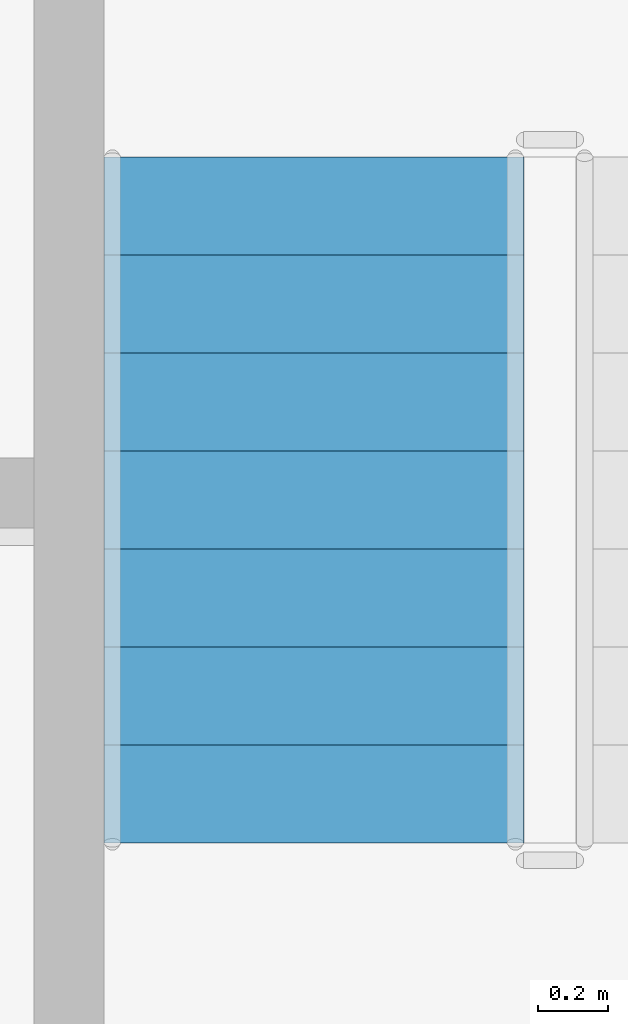
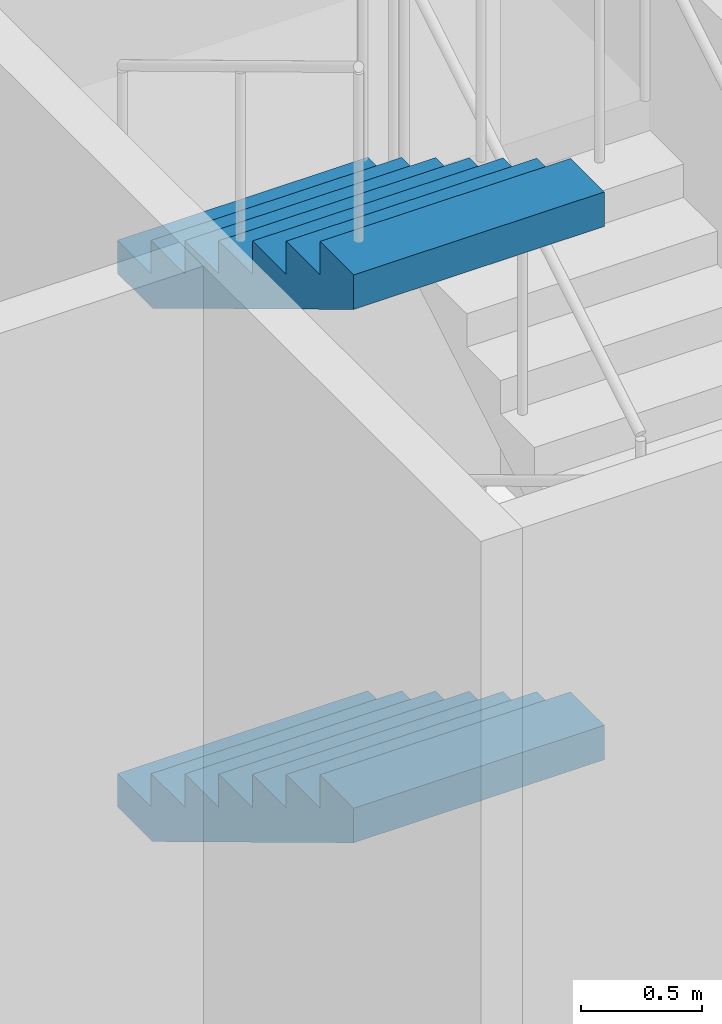
# One storey, part 69 of 101: 2 stair flights, 1 element without a shape of its own.
"""IFC4 building model written with IfcOpenShell, lengths in metres."""

from ifc_helpers import new_model, si_unit, direction, frame, origin, place, context, subcontext, project, spatial, triangles, material, type_object, element, aggregate, save


model = new_model("IFC4")

# Units and contexts
model_context = context("Model", 3, precision=1e-05, world=origin(), true_north=direction((0.0, 1.0)))
body_context = subcontext(model_context, "Body", "Model", "MODEL_VIEW")
ifc_project = project(units=[si_unit("LENGTHUNIT", "METRE"), si_unit("AREAUNIT", "SQUARE_METRE"), si_unit("VOLUMEUNIT", "CUBIC_METRE"), si_unit("PLANEANGLEUNIT", "RADIAN"), si_unit("MASSUNIT", "GRAM", prefix="KILO")], contexts=[model_context])

# Site, building, storey
site_placement = place(None, origin())
site = spatial("IfcSite", under=ifc_project, at=site_placement, CompositionType="ELEMENT")
building_placement = place(site_placement, origin())
building = spatial("IfcBuilding", under=site, at=building_placement, Name="Magnolia Steps Interchange", CompositionType="ELEMENT")
storey_placement = place(building_placement, frame((0.0, 0.0, -5.39990234375)))
storey = spatial("IfcBuildingStorey", under=building, at=storey_placement, Name="B1", CompositionType="ELEMENT", Elevation=-5.39990234375)

# Stair, stair flights
ifc_material_1 = material(Name="Concrete C40", Category="concrete")
stair_type = type_object("IfcStairType", Name="Exit stair 1200", PredefinedType="HALF_TURN_STAIR", material=ifc_material_1)
stair_placement = place(storey_placement, origin())
stair = element("IfcStair", 1, at=stair_placement, inside=storey, type_object=stair_type, Name="B1 Stair 24", PredefinedType="HALF_TURN_STAIR")
ifc_material_2 = material(Name="Concrete C40", Category="concrete")
stair_flight_type = type_object("IfcStairFlightType", Name="Exit stair flight", PredefinedType="STRAIGHT", material=ifc_material_2)
stair_flight_1_placement = place(storey_placement, frame((180.35009765625, 40.659912109375, 1.349853515625), z_axis=(0.0, 0.0, 1.0), x_axis=(0.0, -1.0, 0.0)))
stair_flight_1 = element("IfcStairFlight", 2, at=stair_flight_1_placement, type_object=stair_flight_type, Name="Stair 24 flight 2", NumberOfRisers=8, NumberOfTreads=7, PredefinedType="STRAIGHT", RiserHeight=0.16875, TreadLength=0.28, context=body_context, shape_type="Tessellation", body=[
    triangles([(0.0, -0.5999755859375, 0.0), (0.29052734375, -0.5999755859375, 0.0), (1.9599609375, -0.5999755859375, 1.00634765625), (1.9599609375, -0.5999755859375, 1.18115234375), (1.679931640625, -0.5999755859375, 1.18115234375), (1.679931640625, -0.5999755859375, 1.012451171875), (1.39990234375, -0.5999755859375, 1.012451171875), (1.39990234375, -0.5999755859375, 0.84375), (1.1201171875, -0.5999755859375, 0.84375), (1.1201171875, -0.5999755859375, 0.675048828125), (0.840087890625, -0.5999755859375, 0.675048828125), (0.840087890625, -0.5999755859375, 0.50634765625), (0.56005859375, -0.5999755859375, 0.50634765625), (0.56005859375, -0.5999755859375, 0.33740234375), (0.280029296875, -0.5999755859375, 0.33740234375), (0.280029296875, -0.5999755859375, 0.168701171875), (0.0, -0.5999755859375, 0.168701171875), (0.0, 0.5999755859375, 0.0), (0.29052734375, 0.5999755859375, 0.0), (1.9599609375, 0.5999755859375, 1.00634765625), (1.9599609375, 0.5999755859375, 1.18115234375), (1.679931640625, 0.5999755859375, 1.18115234375), (1.679931640625, 0.5999755859375, 1.012451171875), (1.39990234375, 0.5999755859375, 1.012451171875), (1.39990234375, 0.5999755859375, 0.84375), (1.1201171875, 0.5999755859375, 0.84375), (1.1201171875, 0.5999755859375, 0.675048828125), (0.840087890625, 0.5999755859375, 0.675048828125), (0.840087890625, 0.5999755859375, 0.50634765625), (0.56005859375, 0.5999755859375, 0.50634765625), (0.56005859375, 0.5999755859375, 0.33740234375), (0.280029296875, 0.5999755859375, 0.33740234375), (0.280029296875, 0.5999755859375, 0.168701171875), (0.0, 0.5999755859375, 0.168701171875), (0.0, 0.0, 0.0), (0.0, 0.0, 0.04217529296875), (0.0, 0.0, 0.0843505859375), (0.0, 0.0, 0.12652587890625), (0.0, 0.0, 0.168701171875), (0.0, -0.05, 0.0), (0.0, -0.05, 0.168701171875), (0.0, 0.05, 0.0), (0.0, 0.05, 0.168701171875), (0.046671549479166664, 0.0, 0.168701171875), (0.09334309895833333, 0.0, 0.168701171875), (0.1400146484375, 0.0, 0.168701171875), (0.18668619791666666, 0.0, 0.168701171875), (0.23335774739583334, 0.0, 0.168701171875), (0.280029296875, 0.0, 0.168701171875), (0.280029296875, -0.05, 0.168701171875), (0.280029296875, 0.05, 0.168701171875), (0.280029296875, 0.0, 0.21087646484375), (0.280029296875, 0.0, 0.2530517578125), (0.280029296875, 0.0, 0.29522705078125), (0.280029296875, 0.0, 0.33740234375), (0.280029296875, -0.05, 0.33740234375), (0.280029296875, 0.05, 0.33740234375), (0.3267008463541667, 0.0, 0.33740234375), (0.3733723958333333, 0.0, 0.33740234375), (0.4200439453125, 0.0, 0.33740234375), (0.46671549479166663, 0.0, 0.33740234375), (0.5133870442708334, 0.0, 0.33740234375), (0.56005859375, 0.0, 0.33740234375), (0.56005859375, -0.05, 0.33740234375), (0.56005859375, 0.05, 0.33740234375), (0.56005859375, 0.0, 0.379638671875), (0.56005859375, 0.0, 0.421875), (0.56005859375, 0.0, 0.464111328125), (0.56005859375, 0.0, 0.50634765625), (0.56005859375, -0.05, 0.50634765625), (0.56005859375, 0.05, 0.50634765625), (0.6067301432291666, 0.0, 0.50634765625), (0.6534016927083334, 0.0, 0.50634765625), (0.7000732421875, 0.0, 0.50634765625), (0.7467447916666666, 0.0, 0.50634765625), (0.7934163411458334, 0.0, 0.50634765625), (0.840087890625, 0.0, 0.50634765625), (0.840087890625, -0.05, 0.50634765625), (0.840087890625, 0.05, 0.50634765625), (0.840087890625, 0.0, 0.54852294921875), (0.840087890625, 0.0, 0.5906982421875), (0.840087890625, 0.0, 0.63287353515625), (0.840087890625, 0.0, 0.675048828125), (0.840087890625, -0.05, 0.675048828125), (0.840087890625, 0.05, 0.675048828125), (0.8867594401041666, 0.0, 0.675048828125), (0.9334309895833334, 0.0, 0.675048828125), (0.9801025390625, 0.0, 0.675048828125), (1.0267740885416667, 0.0, 0.675048828125), (1.0734456380208333, 0.0, 0.675048828125), (1.1201171875, 0.0, 0.675048828125), (1.1201171875, -0.05, 0.675048828125), (1.1201171875, 0.05, 0.675048828125), (1.1201171875, 0.0, 0.71722412109375), (1.1201171875, 0.0, 0.7593994140625), (1.1201171875, 0.0, 0.80157470703125), (1.1201171875, 0.0, 0.84375), (1.1201171875, -0.05, 0.84375), (1.1201171875, 0.05, 0.84375), (1.1900634765625, 0.0, 0.84375), (1.260009765625, 0.0, 0.84375), (1.3299560546875, 0.0, 0.84375), (1.39990234375, 0.0, 0.84375), (1.39990234375, -0.05, 0.84375), (1.39990234375, 0.05, 0.84375), (1.39990234375, 0.0, 0.88592529296875), (1.39990234375, 0.0, 0.9281005859375), (1.39990234375, 0.0, 0.97027587890625), (1.39990234375, 0.0, 1.012451171875), (1.39990234375, -0.05, 1.012451171875), (1.39990234375, 0.05, 1.012451171875), (1.4465738932291667, 0.0, 1.012451171875), (1.4932454427083333, 0.0, 1.012451171875), (1.5399169921875, 0.0, 1.012451171875), (1.5865885416666667, 0.0, 1.012451171875), (1.6332600911458333, 0.0, 1.012451171875), (1.679931640625, 0.0, 1.012451171875), (1.679931640625, -0.05, 1.012451171875), (1.679931640625, 0.05, 1.012451171875), (1.679931640625, 0.0, 1.05462646484375), (1.679931640625, 0.0, 1.0968017578125), (1.679931640625, 0.0, 1.13897705078125), (1.679931640625, 0.0, 1.18115234375), (1.679931640625, -0.05, 1.18115234375), (1.679931640625, 0.05, 1.18115234375), (1.7266031901041667, 0.0, 1.18115234375), (1.7732747395833333, 0.0, 1.18115234375), (1.8199462890625, 0.0, 1.18115234375), (1.8666178385416667, 0.0, 1.18115234375), (1.9132893880208333, 0.0, 1.18115234375), (1.9599609375, 0.0, 1.18115234375), (1.9599609375, -0.05, 1.18115234375), (1.9599609375, 0.05, 1.18115234375), (1.9599609375, 0.0, 1.137451171875), (1.9599609375, 0.0, 1.09375), (1.9599609375, 0.0, 1.050048828125), (1.9599609375, 0.0, 1.00634765625), (1.9599609375, -0.05, 1.00634765625), (1.9599609375, 0.05, 1.00634765625), (1.9003383091517858, 0.0, 0.9704066685267857), (1.8407156808035714, 0.0, 0.9344656808035714), (1.7810930524553572, 0.0, 0.8985246930803571), (1.7214704241071428, 0.0, 0.8625837053571428), (1.6618477957589286, 0.0, 0.8266427176339286), (1.6022251674107144, 0.0, 0.7907017299107143), (1.5426025390625, 0.0, 0.7547607421875), (1.4829799107142856, 0.0, 0.7188197544642857), (1.4233572823660714, 0.0, 0.6828787667410714), (1.3637346540178572, 0.0, 0.6469377790178572), (1.3041120256696428, 0.0, 0.6109967912946428), (1.2444893973214286, 0.0, 0.5750558035714286), (1.1848667689732144, 0.0, 0.5391148158482143), (1.125244140625, 0.0, 0.503173828125), (1.0656215122767856, 0.0, 0.4672328404017857), (1.0059988839285714, 0.0, 0.4312918526785714), (0.9463762555803572, 0.0, 0.3953508649553571), (0.8867536272321428, 0.0, 0.3594098772321429), (0.8271309988839286, 0.0, 0.3234688895089286), (0.7675083705357142, 0.0, 0.2875279017857143), (0.7078857421875, 0.0, 0.2515869140625), (0.6482631138392858, 0.0, 0.2156459263392857), (0.5886404854910714, 0.0, 0.1797049386160714), (0.5290178571428572, 0.0, 0.1437639508928571), (0.4693952287946428, 0.0, 0.1078229631696429), (0.4097726004464286, 0.0, 0.0718819754464286), (0.3501499720982142, 0.0, 0.0359409877232143), (0.29052734375, 0.0, 0.0), (0.29052734375, -0.05, 0.0), (0.29052734375, 0.05, 0.0), (0.24210611979166666, 0.0, 0.0), (0.19368489583333331, 0.0, 0.0), (0.145263671875, 0.0, 0.0), (0.09684244791666666, 0.0, 0.0), (0.04842122395833334, 0.0, 0.0)], [[1, 2, 3], [3, 4, 5], [3, 5, 6], [3, 6, 7], [3, 7, 8], [8, 9, 10], [3, 8, 10], [10, 11, 12], [3, 10, 12], [12, 13, 14], [3, 12, 14], [14, 15, 16], [3, 14, 16], [1, 3, 16], [16, 17, 1], [18, 20, 19], [20, 22, 21], [20, 23, 22], [20, 24, 23], [20, 25, 24], [25, 27, 26], [20, 27, 25], [27, 29, 28], [20, 29, 27], [29, 31, 30], [20, 31, 29], [31, 33, 32], [20, 33, 31], [18, 33, 20], [33, 18, 34], [1, 17, 41], [1, 41, 40], [40, 36, 35], [40, 37, 36], [40, 41, 37], [41, 38, 37], [41, 39, 38], [18, 43, 34], [18, 42, 43], [42, 35, 36], [42, 36, 37], [42, 37, 43], [43, 37, 38], [43, 38, 39], [17, 16, 50], [17, 50, 41], [41, 44, 39], [41, 45, 44], [41, 46, 45], [41, 50, 46], [50, 47, 46], [50, 48, 47], [50, 49, 48], [34, 51, 33], [34, 43, 51], [43, 39, 44], [43, 44, 45], [43, 45, 46], [43, 46, 51], [51, 46, 47], [51, 47, 48], [51, 48, 49], [16, 15, 56], [16, 56, 50], [50, 52, 49], [50, 53, 52], [50, 56, 53], [56, 54, 53], [56, 55, 54], [33, 57, 32], [33, 51, 57], [51, 49, 52], [51, 52, 53], [51, 53, 57], [57, 53, 54], [57, 54, 55], [15, 14, 64], [15, 64, 56], [56, 58, 55], [56, 59, 58], [56, 60, 59], [56, 64, 60], [64, 61, 60], [64, 62, 61], [64, 63, 62], [32, 65, 31], [32, 57, 65], [57, 55, 58], [57, 58, 59], [57, 59, 60], [57, 60, 65], [65, 60, 61], [65, 61, 62], [65, 62, 63], [14, 13, 70], [14, 70, 64], [64, 66, 63], [64, 67, 66], [64, 70, 67], [70, 68, 67], [70, 69, 68], [31, 71, 30], [31, 65, 71], [65, 63, 66], [65, 66, 67], [65, 67, 71], [71, 67, 68], [71, 68, 69], [13, 12, 78], [13, 78, 70], [70, 72, 69], [70, 73, 72], [70, 74, 73], [70, 78, 74], [78, 75, 74], [78, 76, 75], [78, 77, 76], [30, 79, 29], [30, 71, 79], [71, 69, 72], [71, 72, 73], [71, 73, 74], [71, 74, 79], [79, 74, 75], [79, 75, 76], [79, 76, 77], [12, 11, 84], [12, 84, 78], [78, 80, 77], [78, 81, 80], [78, 84, 81], [84, 82, 81], [84, 83, 82], [29, 85, 28], [29, 79, 85], [79, 77, 80], [79, 80, 81], [79, 81, 85], [85, 81, 82], [85, 82, 83], [11, 10, 92], [11, 92, 84], [84, 86, 83], [84, 87, 86], [84, 88, 87], [84, 92, 88], [92, 89, 88], [92, 90, 89], [92, 91, 90], [28, 93, 27], [28, 85, 93], [85, 83, 86], [85, 86, 87], [85, 87, 88], [85, 88, 93], [93, 88, 89], [93, 89, 90], [93, 90, 91], [10, 9, 98], [10, 98, 92], [92, 94, 91], [92, 95, 94], [92, 98, 95], [98, 96, 95], [98, 97, 96], [27, 99, 26], [27, 93, 99], [93, 91, 94], [93, 94, 95], [93, 95, 99], [99, 95, 96], [99, 96, 97], [9, 8, 104], [9, 104, 98], [98, 100, 97], [98, 101, 100], [98, 104, 101], [104, 102, 101], [104, 103, 102], [26, 105, 25], [26, 99, 105], [99, 97, 100], [99, 100, 101], [99, 101, 105], [105, 101, 102], [105, 102, 103], [8, 7, 110], [8, 110, 104], [104, 106, 103], [104, 107, 106], [104, 110, 107], [110, 108, 107], [110, 109, 108], [25, 111, 24], [25, 105, 111], [105, 103, 106], [105, 106, 107], [105, 107, 111], [111, 107, 108], [111, 108, 109], [7, 6, 118], [7, 118, 110], [110, 112, 109], [110, 113, 112], [110, 114, 113], [110, 118, 114], [118, 115, 114], [118, 116, 115], [118, 117, 116], [24, 119, 23], [24, 111, 119], [111, 109, 112], [111, 112, 113], [111, 113, 114], [111, 114, 119], [119, 114, 115], [119, 115, 116], [119, 116, 117], [6, 5, 124], [6, 124, 118], [118, 120, 117], [118, 121, 120], [118, 124, 121], [124, 122, 121], [124, 123, 122], [23, 125, 22], [23, 119, 125], [119, 117, 120], [119, 120, 121], [119, 121, 125], [125, 121, 122], [125, 122, 123], [5, 4, 132], [5, 132, 124], [124, 126, 123], [124, 127, 126], [124, 128, 127], [124, 132, 128], [132, 129, 128], [132, 130, 129], [132, 131, 130], [22, 133, 21], [22, 125, 133], [125, 123, 126], [125, 126, 127], [125, 127, 128], [125, 128, 133], [133, 128, 129], [133, 129, 130], [133, 130, 131], [4, 3, 138], [4, 138, 132], [132, 134, 131], [132, 135, 134], [132, 138, 135], [138, 136, 135], [138, 137, 136], [21, 139, 20], [21, 133, 139], [133, 131, 134], [133, 134, 135], [133, 135, 139], [139, 135, 136], [139, 136, 137], [3, 2, 168], [3, 168, 138], [138, 140, 137], [138, 141, 140], [138, 142, 141], [138, 143, 142], [138, 144, 143], [138, 145, 144], [138, 146, 145], [138, 147, 146], [138, 148, 147], [138, 149, 148], [138, 150, 149], [138, 151, 150], [138, 152, 151], [138, 153, 152], [138, 168, 153], [168, 154, 153], [168, 155, 154], [168, 156, 155], [168, 157, 156], [168, 158, 157], [168, 159, 158], [168, 160, 159], [168, 161, 160], [168, 162, 161], [168, 163, 162], [168, 164, 163], [168, 165, 164], [168, 166, 165], [168, 167, 166], [20, 169, 19], [20, 139, 169], [139, 137, 140], [139, 140, 141], [139, 141, 142], [139, 142, 143], [139, 143, 144], [139, 144, 145], [139, 145, 146], [139, 146, 147], [139, 147, 148], [139, 148, 149], [139, 149, 150], [139, 150, 151], [139, 151, 152], [139, 152, 153], [139, 153, 169], [169, 153, 154], [169, 154, 155], [169, 155, 156], [169, 156, 157], [169, 157, 158], [169, 158, 159], [169, 159, 160], [169, 160, 161], [169, 161, 162], [169, 162, 163], [169, 163, 164], [169, 164, 165], [169, 165, 166], [169, 166, 167], [2, 1, 40], [2, 40, 168], [168, 170, 167], [168, 171, 170], [168, 172, 171], [168, 40, 172], [40, 173, 172], [40, 174, 173], [40, 35, 174], [19, 42, 18], [19, 169, 42], [169, 167, 170], [169, 170, 171], [169, 171, 172], [169, 172, 42], [42, 172, 173], [42, 173, 174], [42, 174, 35]], closed=True),
])
stair_flight_2_placement = place(storey_placement, frame((180.35009765625, 40.659912109375, 4.0498046875), z_axis=(0.0, 0.0, 1.0), x_axis=(0.0, -1.0, 0.0)))
stair_flight_2 = element("IfcStairFlight", 3, at=stair_flight_2_placement, type_object=stair_flight_type, Name="Stair 24 flight 4", NumberOfRisers=8, NumberOfTreads=7, PredefinedType="STRAIGHT", RiserHeight=0.16875, TreadLength=0.28, context=body_context, shape_type="Tessellation", body=[
    triangles([(0.0, -0.5999755859375, 0.0), (0.29052734375, -0.5999755859375, 0.0), (1.9599609375, -0.5999755859375, 1.00634765625), (1.9599609375, -0.5999755859375, 1.18115234375), (1.679931640625, -0.5999755859375, 1.18115234375), (1.679931640625, -0.5999755859375, 1.012451171875), (1.39990234375, -0.5999755859375, 1.012451171875), (1.39990234375, -0.5999755859375, 0.84375), (1.1201171875, -0.5999755859375, 0.84375), (1.1201171875, -0.5999755859375, 0.675048828125), (0.840087890625, -0.5999755859375, 0.675048828125), (0.840087890625, -0.5999755859375, 0.50634765625), (0.56005859375, -0.5999755859375, 0.50634765625), (0.56005859375, -0.5999755859375, 0.33740234375), (0.280029296875, -0.5999755859375, 0.33740234375), (0.280029296875, -0.5999755859375, 0.168701171875), (0.0, -0.5999755859375, 0.168701171875), (0.0, 0.5999755859375, 0.0), (0.29052734375, 0.5999755859375, 0.0), (1.9599609375, 0.5999755859375, 1.00634765625), (1.9599609375, 0.5999755859375, 1.18115234375), (1.679931640625, 0.5999755859375, 1.18115234375), (1.679931640625, 0.5999755859375, 1.012451171875), (1.39990234375, 0.5999755859375, 1.012451171875), (1.39990234375, 0.5999755859375, 0.84375), (1.1201171875, 0.5999755859375, 0.84375), (1.1201171875, 0.5999755859375, 0.675048828125), (0.840087890625, 0.5999755859375, 0.675048828125), (0.840087890625, 0.5999755859375, 0.50634765625), (0.56005859375, 0.5999755859375, 0.50634765625), (0.56005859375, 0.5999755859375, 0.33740234375), (0.280029296875, 0.5999755859375, 0.33740234375), (0.280029296875, 0.5999755859375, 0.168701171875), (0.0, 0.5999755859375, 0.168701171875), (0.0, 0.0, 0.0), (0.0, 0.0, 0.04217529296875), (0.0, 0.0, 0.0843505859375), (0.0, 0.0, 0.12652587890625), (0.0, 0.0, 0.168701171875), (0.0, -0.05, 0.0), (0.0, -0.05, 0.168701171875), (0.0, 0.05, 0.0), (0.0, 0.05, 0.168701171875), (0.046671549479166664, 0.0, 0.168701171875), (0.09334309895833333, 0.0, 0.168701171875), (0.1400146484375, 0.0, 0.168701171875), (0.18668619791666666, 0.0, 0.168701171875), (0.23335774739583334, 0.0, 0.168701171875), (0.280029296875, 0.0, 0.168701171875), (0.280029296875, -0.05, 0.168701171875), (0.280029296875, 0.05, 0.168701171875), (0.280029296875, 0.0, 0.21087646484375), (0.280029296875, 0.0, 0.2530517578125), (0.280029296875, 0.0, 0.29522705078125), (0.280029296875, 0.0, 0.33740234375), (0.280029296875, -0.05, 0.33740234375), (0.280029296875, 0.05, 0.33740234375), (0.3267008463541667, 0.0, 0.33740234375), (0.3733723958333333, 0.0, 0.33740234375), (0.4200439453125, 0.0, 0.33740234375), (0.46671549479166663, 0.0, 0.33740234375), (0.5133870442708334, 0.0, 0.33740234375), (0.56005859375, 0.0, 0.33740234375), (0.56005859375, -0.05, 0.33740234375), (0.56005859375, 0.05, 0.33740234375), (0.56005859375, 0.0, 0.379638671875), (0.56005859375, 0.0, 0.421875), (0.56005859375, 0.0, 0.464111328125), (0.56005859375, 0.0, 0.50634765625), (0.56005859375, -0.05, 0.50634765625), (0.56005859375, 0.05, 0.50634765625), (0.6067301432291666, 0.0, 0.50634765625), (0.6534016927083334, 0.0, 0.50634765625), (0.7000732421875, 0.0, 0.50634765625), (0.7467447916666666, 0.0, 0.50634765625), (0.7934163411458334, 0.0, 0.50634765625), (0.840087890625, 0.0, 0.50634765625), (0.840087890625, -0.05, 0.50634765625), (0.840087890625, 0.05, 0.50634765625), (0.840087890625, 0.0, 0.54852294921875), (0.840087890625, 0.0, 0.5906982421875), (0.840087890625, 0.0, 0.63287353515625), (0.840087890625, 0.0, 0.675048828125), (0.840087890625, -0.05, 0.675048828125), (0.840087890625, 0.05, 0.675048828125), (0.8867594401041666, 0.0, 0.675048828125), (0.9334309895833334, 0.0, 0.675048828125), (0.9801025390625, 0.0, 0.675048828125), (1.0267740885416667, 0.0, 0.675048828125), (1.0734456380208333, 0.0, 0.675048828125), (1.1201171875, 0.0, 0.675048828125), (1.1201171875, -0.05, 0.675048828125), (1.1201171875, 0.05, 0.675048828125), (1.1201171875, 0.0, 0.71722412109375), (1.1201171875, 0.0, 0.7593994140625), (1.1201171875, 0.0, 0.80157470703125), (1.1201171875, 0.0, 0.84375), (1.1201171875, -0.05, 0.84375), (1.1201171875, 0.05, 0.84375), (1.1900634765625, 0.0, 0.84375), (1.260009765625, 0.0, 0.84375), (1.3299560546875, 0.0, 0.84375), (1.39990234375, 0.0, 0.84375), (1.39990234375, -0.05, 0.84375), (1.39990234375, 0.05, 0.84375), (1.39990234375, 0.0, 0.88592529296875), (1.39990234375, 0.0, 0.9281005859375), (1.39990234375, 0.0, 0.97027587890625), (1.39990234375, 0.0, 1.012451171875), (1.39990234375, -0.05, 1.012451171875), (1.39990234375, 0.05, 1.012451171875), (1.4465738932291667, 0.0, 1.012451171875), (1.4932454427083333, 0.0, 1.012451171875), (1.5399169921875, 0.0, 1.012451171875), (1.5865885416666667, 0.0, 1.012451171875), (1.6332600911458333, 0.0, 1.012451171875), (1.679931640625, 0.0, 1.012451171875), (1.679931640625, -0.05, 1.012451171875), (1.679931640625, 0.05, 1.012451171875), (1.679931640625, 0.0, 1.05462646484375), (1.679931640625, 0.0, 1.0968017578125), (1.679931640625, 0.0, 1.13897705078125), (1.679931640625, 0.0, 1.18115234375), (1.679931640625, -0.05, 1.18115234375), (1.679931640625, 0.05, 1.18115234375), (1.7266031901041667, 0.0, 1.18115234375), (1.7732747395833333, 0.0, 1.18115234375), (1.8199462890625, 0.0, 1.18115234375), (1.8666178385416667, 0.0, 1.18115234375), (1.9132893880208333, 0.0, 1.18115234375), (1.9599609375, 0.0, 1.18115234375), (1.9599609375, -0.05, 1.18115234375), (1.9599609375, 0.05, 1.18115234375), (1.9599609375, 0.0, 1.137451171875), (1.9599609375, 0.0, 1.09375), (1.9599609375, 0.0, 1.050048828125), (1.9599609375, 0.0, 1.00634765625), (1.9599609375, -0.05, 1.00634765625), (1.9599609375, 0.05, 1.00634765625), (1.9003383091517858, 0.0, 0.9704066685267857), (1.8407156808035714, 0.0, 0.9344656808035714), (1.7810930524553572, 0.0, 0.8985246930803571), (1.7214704241071428, 0.0, 0.8625837053571428), (1.6618477957589286, 0.0, 0.8266427176339286), (1.6022251674107144, 0.0, 0.7907017299107143), (1.5426025390625, 0.0, 0.7547607421875), (1.4829799107142856, 0.0, 0.7188197544642857), (1.4233572823660714, 0.0, 0.6828787667410714), (1.3637346540178572, 0.0, 0.6469377790178572), (1.3041120256696428, 0.0, 0.6109967912946428), (1.2444893973214286, 0.0, 0.5750558035714286), (1.1848667689732144, 0.0, 0.5391148158482143), (1.125244140625, 0.0, 0.503173828125), (1.0656215122767856, 0.0, 0.4672328404017857), (1.0059988839285714, 0.0, 0.4312918526785714), (0.9463762555803572, 0.0, 0.3953508649553571), (0.8867536272321428, 0.0, 0.3594098772321429), (0.8271309988839286, 0.0, 0.3234688895089286), (0.7675083705357142, 0.0, 0.2875279017857143), (0.7078857421875, 0.0, 0.2515869140625), (0.6482631138392858, 0.0, 0.2156459263392857), (0.5886404854910714, 0.0, 0.1797049386160714), (0.5290178571428572, 0.0, 0.1437639508928571), (0.4693952287946428, 0.0, 0.1078229631696429), (0.4097726004464286, 0.0, 0.0718819754464286), (0.3501499720982142, 0.0, 0.0359409877232143), (0.29052734375, 0.0, 0.0), (0.29052734375, -0.05, 0.0), (0.29052734375, 0.05, 0.0), (0.24210611979166666, 0.0, 0.0), (0.19368489583333331, 0.0, 0.0), (0.145263671875, 0.0, 0.0), (0.09684244791666666, 0.0, 0.0), (0.04842122395833334, 0.0, 0.0)], [[1, 2, 3], [3, 4, 5], [3, 5, 6], [3, 6, 7], [3, 7, 8], [8, 9, 10], [3, 8, 10], [10, 11, 12], [3, 10, 12], [12, 13, 14], [3, 12, 14], [14, 15, 16], [3, 14, 16], [1, 3, 16], [16, 17, 1], [18, 20, 19], [20, 22, 21], [20, 23, 22], [20, 24, 23], [20, 25, 24], [25, 27, 26], [20, 27, 25], [27, 29, 28], [20, 29, 27], [29, 31, 30], [20, 31, 29], [31, 33, 32], [20, 33, 31], [18, 33, 20], [33, 18, 34], [1, 17, 41], [1, 41, 40], [40, 36, 35], [40, 37, 36], [40, 41, 37], [41, 38, 37], [41, 39, 38], [18, 43, 34], [18, 42, 43], [42, 35, 36], [42, 36, 37], [42, 37, 43], [43, 37, 38], [43, 38, 39], [17, 16, 50], [17, 50, 41], [41, 44, 39], [41, 45, 44], [41, 46, 45], [41, 50, 46], [50, 47, 46], [50, 48, 47], [50, 49, 48], [34, 51, 33], [34, 43, 51], [43, 39, 44], [43, 44, 45], [43, 45, 46], [43, 46, 51], [51, 46, 47], [51, 47, 48], [51, 48, 49], [16, 15, 56], [16, 56, 50], [50, 52, 49], [50, 53, 52], [50, 56, 53], [56, 54, 53], [56, 55, 54], [33, 57, 32], [33, 51, 57], [51, 49, 52], [51, 52, 53], [51, 53, 57], [57, 53, 54], [57, 54, 55], [15, 14, 64], [15, 64, 56], [56, 58, 55], [56, 59, 58], [56, 60, 59], [56, 64, 60], [64, 61, 60], [64, 62, 61], [64, 63, 62], [32, 65, 31], [32, 57, 65], [57, 55, 58], [57, 58, 59], [57, 59, 60], [57, 60, 65], [65, 60, 61], [65, 61, 62], [65, 62, 63], [14, 13, 70], [14, 70, 64], [64, 66, 63], [64, 67, 66], [64, 70, 67], [70, 68, 67], [70, 69, 68], [31, 71, 30], [31, 65, 71], [65, 63, 66], [65, 66, 67], [65, 67, 71], [71, 67, 68], [71, 68, 69], [13, 12, 78], [13, 78, 70], [70, 72, 69], [70, 73, 72], [70, 74, 73], [70, 78, 74], [78, 75, 74], [78, 76, 75], [78, 77, 76], [30, 79, 29], [30, 71, 79], [71, 69, 72], [71, 72, 73], [71, 73, 74], [71, 74, 79], [79, 74, 75], [79, 75, 76], [79, 76, 77], [12, 11, 84], [12, 84, 78], [78, 80, 77], [78, 81, 80], [78, 84, 81], [84, 82, 81], [84, 83, 82], [29, 85, 28], [29, 79, 85], [79, 77, 80], [79, 80, 81], [79, 81, 85], [85, 81, 82], [85, 82, 83], [11, 10, 92], [11, 92, 84], [84, 86, 83], [84, 87, 86], [84, 88, 87], [84, 92, 88], [92, 89, 88], [92, 90, 89], [92, 91, 90], [28, 93, 27], [28, 85, 93], [85, 83, 86], [85, 86, 87], [85, 87, 88], [85, 88, 93], [93, 88, 89], [93, 89, 90], [93, 90, 91], [10, 9, 98], [10, 98, 92], [92, 94, 91], [92, 95, 94], [92, 98, 95], [98, 96, 95], [98, 97, 96], [27, 99, 26], [27, 93, 99], [93, 91, 94], [93, 94, 95], [93, 95, 99], [99, 95, 96], [99, 96, 97], [9, 8, 104], [9, 104, 98], [98, 100, 97], [98, 101, 100], [98, 104, 101], [104, 102, 101], [104, 103, 102], [26, 105, 25], [26, 99, 105], [99, 97, 100], [99, 100, 101], [99, 101, 105], [105, 101, 102], [105, 102, 103], [8, 7, 110], [8, 110, 104], [104, 106, 103], [104, 107, 106], [104, 110, 107], [110, 108, 107], [110, 109, 108], [25, 111, 24], [25, 105, 111], [105, 103, 106], [105, 106, 107], [105, 107, 111], [111, 107, 108], [111, 108, 109], [7, 6, 118], [7, 118, 110], [110, 112, 109], [110, 113, 112], [110, 114, 113], [110, 118, 114], [118, 115, 114], [118, 116, 115], [118, 117, 116], [24, 119, 23], [24, 111, 119], [111, 109, 112], [111, 112, 113], [111, 113, 114], [111, 114, 119], [119, 114, 115], [119, 115, 116], [119, 116, 117], [6, 5, 124], [6, 124, 118], [118, 120, 117], [118, 121, 120], [118, 124, 121], [124, 122, 121], [124, 123, 122], [23, 125, 22], [23, 119, 125], [119, 117, 120], [119, 120, 121], [119, 121, 125], [125, 121, 122], [125, 122, 123], [5, 4, 132], [5, 132, 124], [124, 126, 123], [124, 127, 126], [124, 128, 127], [124, 132, 128], [132, 129, 128], [132, 130, 129], [132, 131, 130], [22, 133, 21], [22, 125, 133], [125, 123, 126], [125, 126, 127], [125, 127, 128], [125, 128, 133], [133, 128, 129], [133, 129, 130], [133, 130, 131], [4, 3, 138], [4, 138, 132], [132, 134, 131], [132, 135, 134], [132, 138, 135], [138, 136, 135], [138, 137, 136], [21, 139, 20], [21, 133, 139], [133, 131, 134], [133, 134, 135], [133, 135, 139], [139, 135, 136], [139, 136, 137], [3, 2, 168], [3, 168, 138], [138, 140, 137], [138, 141, 140], [138, 142, 141], [138, 143, 142], [138, 144, 143], [138, 145, 144], [138, 146, 145], [138, 147, 146], [138, 148, 147], [138, 149, 148], [138, 150, 149], [138, 151, 150], [138, 152, 151], [138, 153, 152], [138, 168, 153], [168, 154, 153], [168, 155, 154], [168, 156, 155], [168, 157, 156], [168, 158, 157], [168, 159, 158], [168, 160, 159], [168, 161, 160], [168, 162, 161], [168, 163, 162], [168, 164, 163], [168, 165, 164], [168, 166, 165], [168, 167, 166], [20, 169, 19], [20, 139, 169], [139, 137, 140], [139, 140, 141], [139, 141, 142], [139, 142, 143], [139, 143, 144], [139, 144, 145], [139, 145, 146], [139, 146, 147], [139, 147, 148], [139, 148, 149], [139, 149, 150], [139, 150, 151], [139, 151, 152], [139, 152, 153], [139, 153, 169], [169, 153, 154], [169, 154, 155], [169, 155, 156], [169, 156, 157], [169, 157, 158], [169, 158, 159], [169, 159, 160], [169, 160, 161], [169, 161, 162], [169, 162, 163], [169, 163, 164], [169, 164, 165], [169, 165, 166], [169, 166, 167], [2, 1, 40], [2, 40, 168], [168, 170, 167], [168, 171, 170], [168, 172, 171], [168, 40, 172], [40, 173, 172], [40, 174, 173], [40, 35, 174], [19, 42, 18], [19, 169, 42], [169, 167, 170], [169, 170, 171], [169, 171, 172], [169, 172, 42], [42, 172, 173], [42, 173, 174], [42, 174, 35]], closed=True),
])
aggregate(stair, [stair_flight_1, stair_flight_2])

save(model, "model.ifc")
